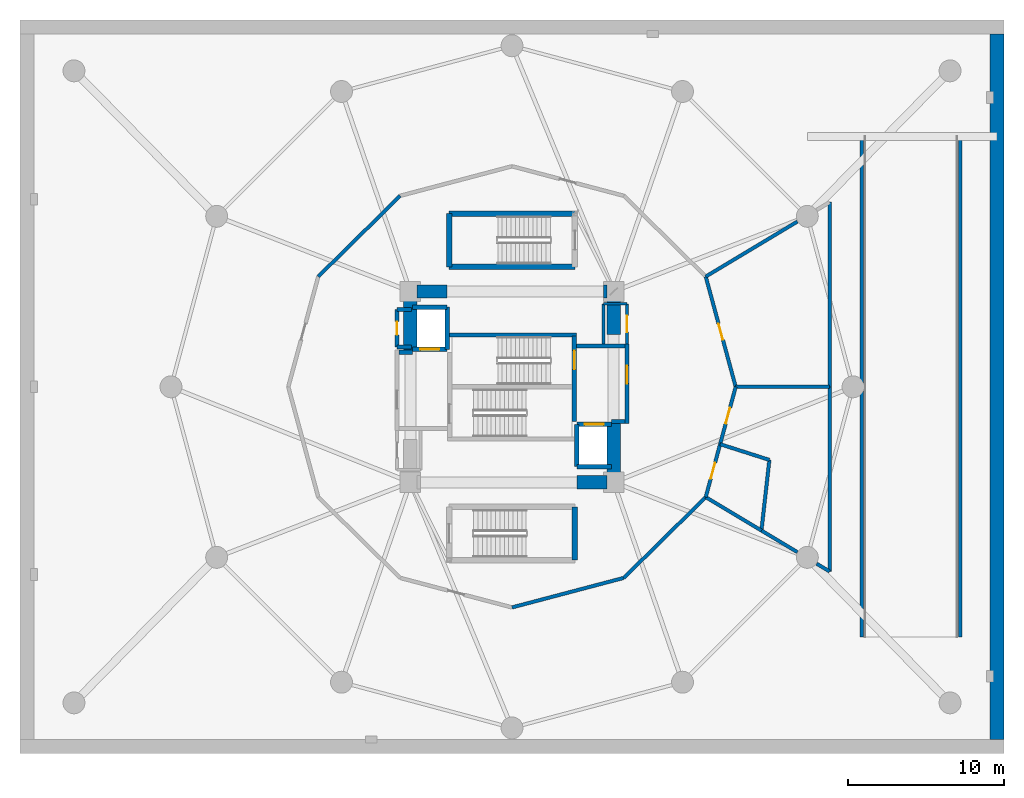
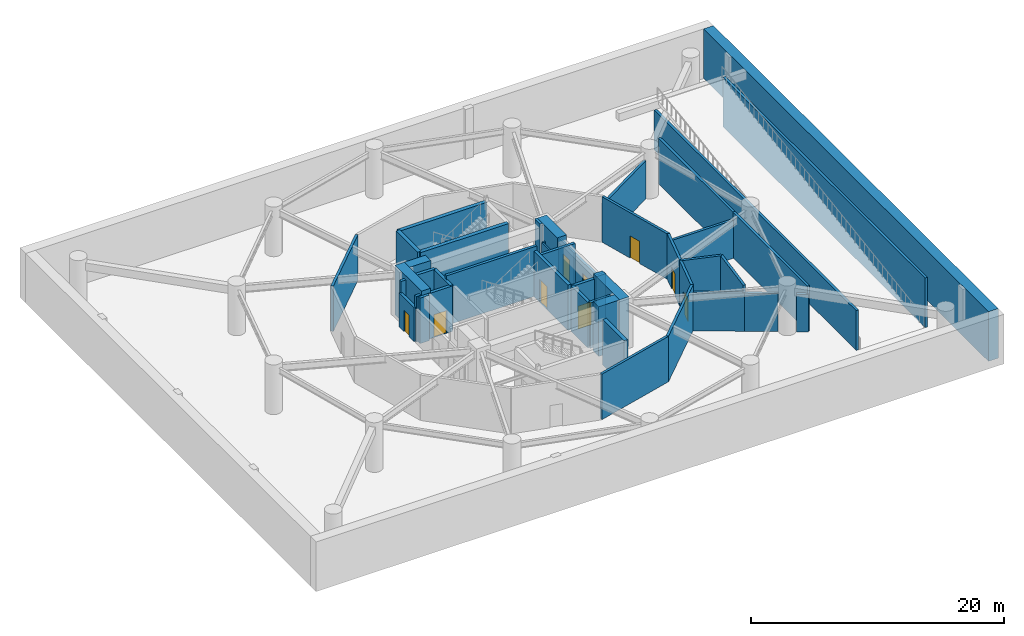
# One storey, part 7 of 10: 46 walls, 9 doors, 9 openings.
"""IFC4 building model written with IfcOpenShell, lengths in metres."""

from ifc_helpers import new_model, si_unit, direction, frame, frame_2d, origin, place, context, subcontext, project, spatial, rectangle, extrude, material, layer, layer_set, type_object, element, fill, save


model = new_model("IFC4")

# Units and contexts
model_context = context("Model", 3, precision=1e-05, world=origin(), true_north=direction((0.0, 1.0)))
body_context = subcontext(model_context, "Body", "Model", "MODEL_VIEW")
ifc_project = project(units=[si_unit("LENGTHUNIT", "METRE"), si_unit("AREAUNIT", "SQUARE_METRE"), si_unit("VOLUMEUNIT", "CUBIC_METRE"), si_unit("PLANEANGLEUNIT", "RADIAN"), si_unit("MASSUNIT", "GRAM", prefix="KILO")], contexts=[model_context])

# Site, building, storey
site_placement = place(None, origin())
site = spatial("IfcSite", under=ifc_project, at=site_placement, CompositionType="ELEMENT")
building_placement = place(site_placement, origin())
building = spatial("IfcBuilding", under=site, at=building_placement, Name="Solvirekh Grand Hotel", CompositionType="ELEMENT")
storey_placement = place(building_placement, frame((0.0, 0.0, -4.800048828125)))
storey = spatial("IfcBuildingStorey", under=building, at=storey_placement, Name="B01", CompositionType="ELEMENT", Elevation=-4.800048828125)

# Walls
ifc_material_1 = material(Name="Concrete C50/60", Category="concrete")
ifc_layer_1 = layer(ifc_material_1, 0.35009765625)
ifc_layer_set_1 = layer_set([ifc_layer_1], Name="Concrete C50/60")
wall_type_1 = type_object("IfcWallType", Name="CoreDivWall_RC350", PredefinedType="SOLIDWALL", material=ifc_layer_set_1)
wall_1_placement = place(storey_placement, frame((-4.1298828125, 3.324951171875, 0.0), z_axis=(0.0, 0.0, 1.0), x_axis=(1.0, 0.0, 0.0)))
element("IfcWall", 1, at=wall_1_placement, inside=storey, type_object=wall_type_1, Name="B01 core stair box wall ST-N", PredefinedType="SOLIDWALL", context=body_context, shape_type="SweptSolid", body=[
    extrude(rectangle(XDim=8.259765625, YDim=0.25, at=frame_2d((4.1298828125, 0.0))), origin(), (0.0, 0.0, 1.0), 4.800048828125),
])
wall_2_placement = place(storey_placement, frame((4.02490234375, -11.074951171875, 0.0), z_axis=(0.0, 0.0, 1.0), x_axis=(0.0, 1.0, 0.0)))
element("IfcWall", 2, at=wall_2_placement, inside=storey, type_object=wall_type_1, Name="B01 podium stair ST-3 E enclosure wall", PredefinedType="SOLIDWALL", context=body_context, shape_type="SweptSolid", body=[
    extrude(rectangle(XDim=3.39990234375, YDim=0.35009765625, at=frame_2d((1.699951171875, 0.0))), origin(), (0.0, 0.0, 1.0), 4.39501953125),
])
wall_3_placement = place(storey_placement, frame((4.02490234375, 11.074951171875, 0.0), z_axis=(0.0, 0.0, 1.0), x_axis=(-1.0, 0.0, 0.0)))
element("IfcWall", 3, at=wall_3_placement, inside=storey, type_object=wall_type_1, Name="B01 feature stair ST-4 N enclosure wall", PredefinedType="SOLIDWALL", context=body_context, shape_type="SweptSolid", body=[
    extrude(rectangle(XDim=8.0498046875, YDim=0.35009765625, at=frame_2d((4.02490234375, 0.0))), origin(), (0.0, 0.0, 1.0), 4.39501953125),
])
wall_4_placement = place(storey_placement, frame((-4.02490234375, 11.074951171875, 0.0), z_axis=(0.0, 0.0, 1.0), x_axis=(0.0, -1.0, 0.0)))
element("IfcWall", 4, at=wall_4_placement, inside=storey, type_object=wall_type_1, Name="B01 feature stair ST-4 W enclosure wall", PredefinedType="SOLIDWALL", context=body_context, shape_type="SweptSolid", body=[
    extrude(rectangle(XDim=3.39990234375, YDim=0.35009765625, at=frame_2d((1.699951171875, 0.0))), origin(), (0.0, 0.0, 1.0), 4.39501953125),
])
wall_5_placement = place(storey_placement, frame((-4.02490234375, 7.675048828125, 0.0), z_axis=(0.0, 0.0, 1.0), x_axis=(1.0, 0.0, 0.0)))
element("IfcWall", 5, at=wall_5_placement, inside=storey, type_object=wall_type_1, Name="B01 feature stair ST-4 S enclosure wall", PredefinedType="SOLIDWALL", context=body_context, shape_type="SweptSolid", body=[
    extrude(rectangle(XDim=8.0498046875, YDim=0.35009765625, at=frame_2d((4.02490234375, 0.0))), origin(), (0.0, 0.0, 1.0), 4.39501953125),
])

# Wall, opening, door
ifc_material_2 = material(Name="Concrete C40/50", Category="concrete")
ifc_layer_2 = layer(ifc_material_2, 0.280029296875)
ifc_layer_set_2 = layer_set([ifc_layer_2], Name="Concrete C40/50")
wall_type_2 = type_object("IfcWallType", Name="CoreShaftWall_RC280", PredefinedType="SOLIDWALL", material=ifc_layer_set_2)
wall_6_placement = place(storey_placement, frame((-6.35009765625, 2.39990234375, 0.0), z_axis=(0.0, 0.0, 1.0), x_axis=(1.0, 0.0, 0.0)))
wall_6 = element("IfcWall", 6, at=wall_6_placement, inside=storey, type_object=wall_type_2, Name="B01 FL-1 hoistway S wall", PredefinedType="SOLIDWALL", context=body_context, shape_type="SweptSolid", body=[
    extrude(rectangle(XDim=2.2001953125, YDim=0.280029296875, at=frame_2d((1.10009765625, 0.0))), origin(), (0.0, 0.0, 1.0), 4.39501953125),
])
opening_1_placement = place(wall_6_placement, frame((0.5, 0.0, 0.0)))
opening_1 = element("IfcOpeningElement", 7, at=opening_1_placement, cuts=wall_6, Name="Opening LD02", PredefinedType="OPENING", context=body_context, shape_type="SweptSolid", body=[
    extrude(rectangle(XDim=1.199951171875, YDim=2.199951171875, at=frame_2d((0.60009765625, 1.10009765625))), frame((0.0, 0.14990234375, 0.0), z_axis=(0.0, -1.0, 0.0), x_axis=(1.0, 0.0, 0.0)), (0.0, 0.0, 1.0), 0.300048828125),
])
ifc_material_3 = material(Name="Fire-Rated Steel Door Assembly", Category="steel")
door_type_1 = type_object("IfcDoorType", Name="Door_LiftFF_1200X2200", OperationType="SLIDING_TO_LEFT", PredefinedType="DOOR", material=ifc_material_3)
door_1_placement = place(opening_1_placement, origin())
door_1 = element("IfcDoor", 8, at=door_1_placement, inside=storey, type_object=door_type_1, Name="B01 FL-1 sliding lift landing door", OperationType="SLIDING_TO_LEFT", OverallHeight=2.199951171875, OverallWidth=1.199951171875, PredefinedType="DOOR", context=body_context, shape_type="SweptSolid", body=[
    extrude(rectangle(XDim=1.199951171875, YDim=2.199951171875, at=frame_2d((0.60009765625, 1.10009765625))), frame((0.0, 0.02490234375, 0.0), z_axis=(0.0, -1.0, 0.0), x_axis=(1.0, 0.0, 0.0)), (0.0, 0.0, 1.0), 0.050048828125),
])
fill(opening_1, door_1)

# Walls
wall_7_placement = place(storey_placement, frame((-4.14990234375, 5.10009765625, 0.0), z_axis=(0.0, 0.0, 1.0), x_axis=(-1.0, 0.0, 0.0)))
element("IfcWall", 9, at=wall_7_placement, inside=storey, type_object=wall_type_2, Name="B01 FL-1 hoistway N wall", PredefinedType="SOLIDWALL", context=body_context, shape_type="SweptSolid", body=[
    extrude(rectangle(XDim=2.2001953125, YDim=0.280029296875, at=frame_2d((1.10009765625, 0.0))), origin(), (0.0, 0.0, 1.0), 4.39501953125),
])
wall_8_placement = place(storey_placement, frame((-4.14990234375, 2.39990234375, 0.0), z_axis=(0.0, 0.0, 1.0), x_axis=(0.0, 1.0, 0.0)))
element("IfcWall", 10, at=wall_8_placement, inside=storey, type_object=wall_type_2, Name="B01 FL-1 hoistway E wall", PredefinedType="SOLIDWALL", context=body_context, shape_type="SweptSolid", body=[
    extrude(rectangle(XDim=2.7001953125, YDim=0.280029296875, at=frame_2d((1.35009765625, 0.0))), origin(), (0.0, 0.0, 1.0), 4.39501953125),
])
wall_9_placement = place(storey_placement, frame((4.14990234375, -5.10009765625, 0.0), z_axis=(0.0, 0.0, 1.0), x_axis=(1.0, 0.0, 0.0)))
element("IfcWall", 11, at=wall_9_placement, inside=storey, type_object=wall_type_2, Name="B01 FL-2 hoistway S wall", PredefinedType="SOLIDWALL", context=body_context, shape_type="SweptSolid", body=[
    extrude(rectangle(XDim=2.2001953125, YDim=0.280029296875, at=frame_2d((1.10009765625, 0.0))), origin(), (0.0, 0.0, 1.0), 4.39501953125),
])

# Wall, opening, door
wall_10_placement = place(storey_placement, frame((6.35009765625, -2.39990234375, 0.0), z_axis=(0.0, 0.0, 1.0), x_axis=(-1.0, 0.0, 0.0)))
wall_10 = element("IfcWall", 12, at=wall_10_placement, inside=storey, type_object=wall_type_2, Name="B01 FL-2 hoistway N wall", PredefinedType="SOLIDWALL", context=body_context, shape_type="SweptSolid", body=[
    extrude(rectangle(XDim=2.2001953125, YDim=0.280029296875, at=frame_2d((1.10009765625, 0.0))), origin(), (0.0, 0.0, 1.0), 4.39501953125),
])
opening_2_placement = place(wall_10_placement, frame((0.5, 0.0, 0.0)))
opening_2 = element("IfcOpeningElement", 13, at=opening_2_placement, cuts=wall_10, Name="Opening LD02", PredefinedType="OPENING", context=body_context, shape_type="SweptSolid", body=[
    extrude(rectangle(XDim=1.199951171875, YDim=2.199951171875, at=frame_2d((0.60009765625, 1.10009765625))), frame((0.0, 0.14990234375, 0.0), z_axis=(0.0, -1.0, 0.0), x_axis=(1.0, 0.0, 0.0)), (0.0, 0.0, 1.0), 0.300048828125),
])
door_2_placement = place(opening_2_placement, origin())
door_2 = element("IfcDoor", 14, at=door_2_placement, inside=storey, type_object=door_type_1, Name="B01 FL-2 sliding lift landing door", OperationType="SLIDING_TO_LEFT", OverallHeight=2.199951171875, OverallWidth=1.199951171875, PredefinedType="DOOR", context=body_context, shape_type="SweptSolid", body=[
    extrude(rectangle(XDim=1.199951171875, YDim=2.199951171875, at=frame_2d((0.60009765625, 1.10009765625))), frame((0.0, 0.02490234375, 0.0), z_axis=(0.0, -1.0, 0.0), x_axis=(1.0, 0.0, 0.0)), (0.0, 0.0, 1.0), 0.050048828125),
])
fill(opening_2, door_2)

# Wall
wall_11_placement = place(storey_placement, frame((4.14990234375, -2.39990234375, 0.0), z_axis=(0.0, 0.0, 1.0), x_axis=(0.0, -1.0, 0.0)))
element("IfcWall", 15, at=wall_11_placement, inside=storey, type_object=wall_type_2, Name="B01 FL-2 hoistway W wall", PredefinedType="SOLIDWALL", context=body_context, shape_type="SweptSolid", body=[
    extrude(rectangle(XDim=2.7001953125, YDim=0.280029296875, at=frame_2d((1.35009765625, 0.0))), origin(), (0.0, 0.0, 1.0), 4.39501953125),
])

# Wall, opening, door
wall_12_placement = place(storey_placement, frame((3.989990234375, -2.2099609375, 0.0), z_axis=(0.0, 0.0, 1.0), x_axis=(0.0, 1.0, 0.0)))
wall_12 = element("IfcWall", 16, at=wall_12_placement, inside=storey, type_object=wall_type_2, Name="B01 east stair landing enclosure wall", PredefinedType="SOLIDWALL", context=body_context, shape_type="SweptSolid", body=[
    extrude(rectangle(XDim=5.4599609375, YDim=0.280029296875, at=frame_2d((2.72998046875, 0.0))), origin(), (0.0, 0.0, 1.0), 4.39501953125),
])
opening_3_placement = place(wall_12_placement, frame((3.322998046875, 0.0, 0.0)))
opening_3 = element("IfcOpeningElement", 17, at=opening_3_placement, cuts=wall_12, Name="Opening D05", PredefinedType="OPENING", context=body_context, shape_type="SweptSolid", body=[
    extrude(rectangle(XDim=1.199951171875, YDim=2.199951171875, at=frame_2d((0.60009765625, 1.10009765625))), frame((0.0, 0.14990234375, 0.0), z_axis=(0.0, -1.0, 0.0), x_axis=(1.0, 0.0, 0.0)), (0.0, 0.0, 1.0), 0.300048828125),
])
door_type_2 = type_object("IfcDoorType", Name="Door_StairCore_1200X2200", OperationType="NOTDEFINED", PredefinedType="DOOR", material=ifc_material_3)
door_3_placement = place(opening_3_placement, origin())
door_3 = element("IfcDoor", 18, at=door_3_placement, inside=storey, type_object=door_type_2, Name="B01 exit stair ST-2 fire door", OperationType="SINGLE_SWING_LEFT", OverallHeight=2.199951171875, OverallWidth=1.199951171875, PredefinedType="DOOR", context=body_context, shape_type="SweptSolid", body=[
    extrude(rectangle(XDim=1.199951171875, YDim=2.199951171875, at=frame_2d((0.60009765625, 1.10009765625))), frame((0.0, 0.02490234375, 0.0), z_axis=(0.0, -1.0, 0.0), x_axis=(1.0, 0.0, 0.0)), (0.0, 0.0, 1.0), 0.050048828125),
])
fill(opening_3, door_3)

# Walls
ifc_material_4 = material(Name="Concrete C60/75", Category="concrete")
ifc_layer_3 = layer(ifc_material_4, 0.85009765625)
ifc_layer_set_3 = layer_set([ifc_layer_3], Name="Concrete C60/75")
wall_type_3 = type_object("IfcWallType", Name="CoreWall_RC850", PredefinedType="SHEAR", material=ifc_layer_set_3)
for number, where, z_axis, x_axis, name in (
    (19, (4.14990234375, -6.10009765625, 0.0), (0.0, 0.0, 1.0), (1.0, 0.0, 0.0), "B01 core corner shear wall SE-S"),
    (20, (-6.074951171875, 6.10009765625, 0.0), (0.0, 0.0, 1.0), (1.0, 0.0, 0.0), "B01 core corner shear wall NW-N"),
):
    element("IfcWall", number, at=place(storey_placement, frame(where, z_axis=z_axis, x_axis=x_axis)), inside=storey, type_object=wall_type_3, Name=name, PredefinedType="SHEAR", context=body_context, shape_type="SweptSolid", body=[
        extrude(rectangle(XDim=1.925048828125, YDim=0.85009765625, at=frame_2d((0.96240234375, 0.0))), origin(), (0.0, 0.0, 1.0), 4.800048828125),
    ])
wall_13_placement = place(storey_placement, frame((5.85009765625, 6.10009765625, 0.0), z_axis=(0.0, 0.0, 1.0), x_axis=(1.0, 0.0, 0.0)))
element("IfcWall", 21, at=wall_13_placement, inside=storey, type_object=wall_type_3, Name="B01 core corner shear wall NE-N", PredefinedType="SHEAR", context=body_context, shape_type="SweptSolid", body=[
    extrude(rectangle(XDim=0.224853515625, YDim=0.85009765625, at=frame_2d((0.1123046875, 0.0))), origin(), (0.0, 0.0, 1.0), 4.800048828125),
])
for number, where, z_axis, x_axis, name in (
    (22, (-6.5, 2.35009765625, 0.0), (0.0, 0.0, 1.0), (0.0, 1.0, 0.0), "B01 core corner shear wall WN-W"),
    (23, (6.5, -6.52490234375, 0.0), (0.0, 0.0, 1.0), (0.0, 1.0, 0.0), "B01 core corner shear wall ES-E"),
):
    element("IfcWall", number, at=place(storey_placement, frame(where, z_axis=z_axis, x_axis=x_axis)), inside=storey, type_object=wall_type_3, Name=name, PredefinedType="SHEAR", context=body_context, shape_type="SweptSolid", body=[
        extrude(rectangle(XDim=4.1748046875, YDim=0.85009765625, at=frame_2d((2.08740234375, 0.0))), origin(), (0.0, 0.0, 1.0), 4.800048828125),
    ])
wall_14_placement = place(storey_placement, frame((6.5, 3.35009765625, 0.0), z_axis=(0.0, 0.0, 1.0), x_axis=(0.0, 1.0, 0.0)))
element("IfcWall", 24, at=wall_14_placement, inside=storey, type_object=wall_type_3, Name="B01 core corner shear wall EN-E", PredefinedType="SHEAR", context=body_context, shape_type="SweptSolid", body=[
    extrude(rectangle(XDim=3.1748046875, YDim=0.85009765625, at=frame_2d((1.58740234375, 0.0))), origin(), (0.0, 0.0, 1.0), 4.800048828125),
])

# Wall, opening, door
ifc_material_5 = material(Name="Acoustic Gypsum Partition Assembly")
ifc_layer_4 = layer(ifc_material_5, 0.1650390625)
ifc_layer_set_4 = layer_set([ifc_layer_4], Name="Acoustic Gypsum Partition Assembly")
wall_type_4 = type_object("IfcWallType", Name="Part_BOH_165", PredefinedType="PARTITIONING", material=ifc_layer_set_4)
wall_15_placement = place(storey_placement, frame((7.35009765625, 2.75, 0.0), z_axis=(0.0, 0.0, 1.0), x_axis=(0.0, 1.0, 0.0)))
wall_15 = element("IfcWall", 25, at=wall_15_placement, inside=storey, type_object=wall_type_4, Name="B01 B01 Telecom Distribution Room wall 2", PredefinedType="PARTITIONING", context=body_context, shape_type="SweptSolid", body=[
    extrude(rectangle(XDim=2.550048828125, YDim=0.1650390625, at=frame_2d((1.27490234375, 0.0))), origin(), (0.0, 0.0, 1.0), 3.280029296875),
])
opening_4_placement = place(wall_15_placement, frame((0.75, 0.0, 0.0)))
opening_4 = element("IfcOpeningElement", 26, at=opening_4_placement, cuts=wall_15, Name="Opening D12", PredefinedType="OPENING", context=body_context, shape_type="SweptSolid", body=[
    extrude(rectangle(XDim=1.050048828125, YDim=2.14990234375, at=frame_2d((0.52490234375, 1.074951171875))), frame((0.0, 0.092529296875, 0.0), z_axis=(0.0, -1.0, 0.0), x_axis=(1.0, 0.0, 0.0)), (0.0, 0.0, 1.0), 0.18505859375),
])
door_type_3 = type_object("IfcDoorType", Name="Door_PlantBOH_1050X2150", OperationType="NOTDEFINED", PredefinedType="DOOR", material=ifc_material_3)
door_4_placement = place(opening_4_placement, origin())
door_4 = element("IfcDoor", 27, at=door_4_placement, inside=storey, type_object=door_type_3, Name="B01 B01 Telecom Distribution Room door", OperationType="SINGLE_SWING_RIGHT", OverallHeight=2.14990234375, OverallWidth=1.050048828125, PredefinedType="DOOR", context=body_context, shape_type="SweptSolid", body=[
    extrude(rectangle(XDim=1.050048828125, YDim=2.14990234375, at=frame_2d((0.52490234375, 1.074951171875))), frame((0.0, 0.02490234375, 0.0), z_axis=(0.0, -1.0, 0.0), x_axis=(1.0, 0.0, 0.0)), (0.0, 0.0, 1.0), 0.050048828125),
])
fill(opening_4, door_4)

# Walls
wall_16_placement = place(storey_placement, frame((7.35009765625, 5.300048828125, 0.0), z_axis=(0.0, 0.0, 1.0), x_axis=(-1.0, 0.0, 0.0)))
element("IfcWall", 28, at=wall_16_placement, inside=storey, type_object=wall_type_4, Name="B01 B01 Telecom Distribution Room wall 3", PredefinedType="PARTITIONING", context=body_context, shape_type="SweptSolid", body=[
    extrude(rectangle(XDim=1.5, YDim=0.1650390625, at=frame_2d((0.75, 0.0))), origin(), (0.0, 0.0, 1.0), 3.280029296875),
])
wall_17_placement = place(storey_placement, frame((5.85009765625, 5.300048828125, 0.0), z_axis=(0.0, 0.0, 1.0), x_axis=(0.0, -1.0, 0.0)))
element("IfcWall", 29, at=wall_17_placement, inside=storey, type_object=wall_type_4, Name="B01 B01 Telecom Distribution Room wall 4", PredefinedType="PARTITIONING", context=body_context, shape_type="SweptSolid", body=[
    extrude(rectangle(XDim=2.550048828125, YDim=0.1650390625, at=frame_2d((1.27490234375, 0.0))), origin(), (0.0, 0.0, 1.0), 3.280029296875),
])

# Wall, opening, door
ifc_layer_5 = layer(ifc_material_5, 0.239990234375)
ifc_layer_set_5 = layer_set([ifc_layer_5], Name="Acoustic Gypsum Partition Assembly")
wall_type_5 = type_object("IfcWallType", Name="Part_Corridor_240", PredefinedType="PARTITIONING", material=ifc_layer_set_5)
wall_18_placement = place(storey_placement, frame((7.35009765625, -2.340087890625, 0.0), z_axis=(0.0, 0.0, 1.0), x_axis=(0.0, 1.0, 0.0)))
wall_18 = element("IfcWall", 30, at=wall_18_placement, inside=storey, type_object=wall_type_5, Name="B01 east firefighting lobby smoke screen wall", PredefinedType="PARTITIONING", context=body_context, shape_type="SweptSolid", body=[
    extrude(rectangle(XDim=5.070068359375, YDim=0.239990234375, at=frame_2d((2.53515625, 0.0))), origin(), (0.0, 0.0, 1.0), 3.280029296875),
])
opening_5_placement = place(wall_18_placement, frame((2.548095703125, 0.0, 0.0)))
opening_5 = element("IfcOpeningElement", 31, at=opening_5_placement, cuts=wall_18, Name="Opening D06", PredefinedType="OPENING", context=body_context, shape_type="SweptSolid", body=[
    extrude(rectangle(XDim=1.14990234375, YDim=2.199951171875, at=frame_2d((0.574951171875, 1.10009765625))), frame((0.0, 0.1298828125, 0.0), z_axis=(0.0, -1.0, 0.0), x_axis=(1.0, 0.0, 0.0)), (0.0, 0.0, 1.0), 0.260009765625),
])
door_type_4 = type_object("IfcDoorType", Name="Door_FFLobby_1150X2200", OperationType="NOTDEFINED", PredefinedType="DOOR", material=ifc_material_3)
door_5_placement = place(opening_5_placement, origin())
door_5 = element("IfcDoor", 32, at=door_5_placement, inside=storey, type_object=door_type_4, Name="B01 east firefighting lobby smoke door", OperationType="SINGLE_SWING_LEFT", OverallHeight=2.199951171875, OverallWidth=1.14990234375, PredefinedType="DOOR", context=body_context, shape_type="SweptSolid", body=[
    extrude(rectangle(XDim=1.14990234375, YDim=2.199951171875, at=frame_2d((0.574951171875, 1.10009765625))), frame((0.0, 0.02490234375, 0.0), z_axis=(0.0, -1.0, 0.0), x_axis=(1.0, 0.0, 0.0)), (0.0, 0.0, 1.0), 0.050048828125),
])
fill(opening_5, door_5)

# Walls
ifc_layer_6 = layer(ifc_material_5, 0.260009765625)
ifc_layer_set_6 = layer_set([ifc_layer_6], Name="Acoustic Gypsum Partition Assembly")
wall_type_6 = type_object("IfcWallType", Name="Part_LobbyFF_260", PredefinedType="PARTITIONING", material=ifc_layer_set_6)
for number, where, z_axis, x_axis, name in (
    (33, (-7.22509765625, 2.2099609375, 0.0), (0.0, 0.0, 1.0), (1.0, 0.0, 0.0), "B01 west firefighting lobby NW cheek"),
    (34, (6.35009765625, -2.2099609375, 0.0), (0.0, 0.0, 1.0), (1.0, 0.0, 0.0), "B01 east firefighting lobby SE cheek"),
):
    element("IfcWall", number, at=place(storey_placement, frame(where, z_axis=z_axis, x_axis=x_axis)), inside=storey, type_object=wall_type_6, Name=name, PredefinedType="PARTITIONING", context=body_context, shape_type="SweptSolid", body=[
        extrude(rectangle(XDim=0.875, YDim=0.260009765625, at=frame_2d((0.4375, 0.0))), origin(), (0.0, 0.0, 1.0), 4.39501953125),
    ])
wall_19_placement = place(storey_placement, frame((4.1298828125, 2.60009765625, 0.0), z_axis=(0.0, 0.0, 1.0), x_axis=(1.0, 0.0, 0.0)))
element("IfcWall", 35, at=wall_19_placement, inside=storey, type_object=wall_type_6, Name="B01 east firefighting lobby north partition", PredefinedType="PARTITIONING", context=body_context, shape_type="SweptSolid", body=[
    extrude(rectangle(XDim=3.09521484375, YDim=0.260009765625, at=frame_2d((1.547607421875, 0.0))), origin(), (0.0, 0.0, 1.0), 4.39501953125),
])
for number, where, z_axis, x_axis, name in (
    (36, (-7.35009765625, 4.949951171875, 0.0), (0.0, 0.0, 1.0), (1.0, 0.0, 0.0), "B01 NW telecom metering cupboard north wall"),
    (37, (-7.35009765625, 2.550048828125, 0.0), (0.0, 0.0, 1.0), (1.0, 0.0, 0.0), "B01 NW telecom metering cupboard south wall"),
):
    element("IfcWall", number, at=place(storey_placement, frame(where, z_axis=z_axis, x_axis=x_axis)), inside=storey, type_object=wall_type_6, Name=name, PredefinedType="PARTITIONING", context=body_context, shape_type="SweptSolid", body=[
        extrude(rectangle(XDim=0.93017578125, YDim=0.260009765625, at=frame_2d((0.465087890625, 0.0))), origin(), (0.0, 0.0, 1.0), 4.39501953125),
    ])

# Wall, opening, door
wall_20_placement = place(storey_placement, frame((-7.35009765625, 2.550048828125, 0.0), z_axis=(0.0, 0.0, 1.0), x_axis=(0.0, 1.0, 0.0)))
wall_20 = element("IfcWall", 38, at=wall_20_placement, inside=storey, type_object=wall_type_6, Name="B01 NW telecom metering cupboard access wall", PredefinedType="PARTITIONING", context=body_context, shape_type="SweptSolid", body=[
    extrude(rectangle(XDim=2.39990234375, YDim=0.260009765625, at=frame_2d((1.199951171875, 0.0))), origin(), (0.0, 0.0, 1.0), 3.280029296875),
])
opening_6_placement = place(wall_20_placement, frame((0.77490234375, 0.0, 0.0)))
opening_6 = element("IfcOpeningElement", 39, at=opening_6_placement, cuts=wall_20, Name="Opening D13", PredefinedType="OPENING", context=body_context, shape_type="SweptSolid", body=[
    extrude(rectangle(XDim=0.85009765625, YDim=2.050048828125, at=frame_2d((0.425048828125, 1.02490234375))), frame((0.0, 0.14013671875, 0.0), z_axis=(0.0, -1.0, 0.0), x_axis=(1.0, 0.0, 0.0)), (0.0, 0.0, 1.0), 0.280029296875),
])
door_type_5 = type_object("IfcDoorType", Name="Door_RiserShaft_850X2050", OperationType="NOTDEFINED", PredefinedType="DOOR", material=ifc_material_3)
door_6_placement = place(opening_6_placement, origin())
door_6 = element("IfcDoor", 40, at=door_6_placement, inside=storey, type_object=door_type_5, Name="B01 telecom metering cupboard access door", OperationType="SINGLE_SWING_RIGHT", OverallHeight=2.050048828125, OverallWidth=0.85009765625, PredefinedType="DOOR", context=body_context, shape_type="SweptSolid", body=[
    extrude(rectangle(XDim=0.85009765625, YDim=2.050048828125, at=frame_2d((0.425048828125, 1.02490234375))), frame((0.0, 0.02490234375, 0.0), z_axis=(0.0, -1.0, 0.0), x_axis=(1.0, 0.0, 0.0)), (0.0, 0.0, 1.0), 0.050048828125),
])
fill(opening_6, door_6)

# Walls
ifc_material_6 = material(Name="Precast concrete C45/55", Category="concrete")
ifc_layer_7 = layer(ifc_material_6, 0.22509765625)
ifc_layer_set_7 = layer_set([ifc_layer_7], Name="Precast concrete C45/55")
wall_type_7 = type_object("IfcWallType", Name="Part_Plant_225", PredefinedType="PARTITIONING", material=ifc_layer_set_7)
wall_21_placement = place(storey_placement, frame((22.35009765625, -16.0, 0.0), z_axis=(0.0, 0.0, 1.0), x_axis=(0.0, 1.0, 0.0)))
element("IfcWall", 41, at=wall_21_placement, inside=storey, type_object=wall_type_7, Name="B01 vehicle ramp west fire wall", PredefinedType="PARTITIONING", context=body_context, shape_type="SweptSolid", body=[
    extrude(rectangle(XDim=32.0, YDim=0.22509765625, at=frame_2d((16.0, 0.0))), origin(), (0.0, 0.0, 1.0), 3.84716796875),
])
wall_22_placement = place(storey_placement, frame((28.64990234375, -16.0, 0.0), z_axis=(0.0, 0.0, 1.0), x_axis=(0.0, 1.0, 0.0)))
element("IfcWall", 42, at=wall_22_placement, inside=storey, type_object=wall_type_7, Name="B01 vehicle ramp east fire wall", PredefinedType="PARTITIONING", context=body_context, shape_type="SweptSolid", body=[
    extrude(rectangle(XDim=32.0, YDim=0.22509765625, at=frame_2d((16.0, 0.0))), origin(), (0.0, 0.0, 1.0), 4.800048828125),
])
wall_23_placement = place(storey_placement, frame((-7.14990234375, 12.2109375, 0.0), z_axis=(0.0, 0.0, 1.0), x_axis=(-0.712071304345, -0.702107155303, 0.0)))
element("IfcWall", 43, at=wall_23_placement, inside=storey, type_object=wall_type_7, Name="B01 B01 North Car Park & Accessible Bays corridor fire wall 3", PredefinedType="PARTITIONING", context=body_context, shape_type="SweptSolid", body=[
    extrude(rectangle(XDim=7.3505859375, YDim=0.22509765625, at=frame_2d((3.67529296875, 0.0))), origin(), (0.0, 0.0, 1.0), 4.39501953125),
])
wall_24_placement = place(storey_placement, frame((0.0, -14.10009765625, 0.0), z_axis=(0.0, 0.0, 1.0), x_axis=(0.966820901533, 0.255455170937, 0.0)))
element("IfcWall", 44, at=wall_24_placement, inside=storey, type_object=wall_type_7, Name="B01 B01 South Car Park & Charging Bays corridor fire wall 2", PredefinedType="PARTITIONING", context=body_context, shape_type="SweptSolid", body=[
    extrude(rectangle(XDim=7.395263671875, YDim=0.22509765625, at=frame_2d((3.69775390625, 0.0))), origin(), (0.0, 0.0, 1.0), 4.39501953125),
])
wall_25_placement = place(storey_placement, frame((7.14990234375, -12.2109375, 0.0), z_axis=(0.0, 0.0, 1.0), x_axis=(0.712071304345, 0.702107155303, 0.0)))
element("IfcWall", 45, at=wall_25_placement, inside=storey, type_object=wall_type_7, Name="B01 B01 South Car Park & Charging Bays corridor fire wall 3", PredefinedType="PARTITIONING", context=body_context, shape_type="SweptSolid", body=[
    extrude(rectangle(XDim=7.3505859375, YDim=0.22509765625, at=frame_2d((3.67529296875, 0.0))), origin(), (0.0, 0.0, 1.0), 4.39501953125),
])

# Wall, opening, door
wall_26_placement = place(storey_placement, frame((12.384033203125, -7.050048828125, 0.0), z_axis=(0.0, 0.0, 1.0), x_axis=(0.262322060278, 0.964980381506, 0.0)))
wall_26 = element("IfcWall", 46, at=wall_26_placement, inside=storey, type_object=wall_type_7, Name="B01 Hotel Linen Laundry Room entry wall", PredefinedType="PARTITIONING", context=body_context, shape_type="SweptSolid", body=[
    extrude(rectangle(XDim=3.5068359375, YDim=0.22509765625, at=frame_2d((1.75341796875, 0.0))), origin(), (0.0, 0.0, 1.0), 4.39501953125),
])
opening_7_placement = place(wall_26_placement, frame((1.22802734375, 0.0, 0.0)))
opening_7 = element("IfcOpeningElement", 47, at=opening_7_placement, cuts=wall_26, Name="Opening D12", PredefinedType="OPENING", context=body_context, shape_type="SweptSolid", body=[
    extrude(rectangle(XDim=1.050048828125, YDim=2.14990234375, at=frame_2d((0.52490234375, 1.074951171875))), frame((0.0, 0.12255859375, 0.0), z_axis=(0.0, -1.0, 0.0), x_axis=(1.0, 0.0, 0.0)), (0.0, 0.0, 1.0), 0.2451171875),
])
door_7_placement = place(opening_7_placement, origin())
door_7 = element("IfcDoor", 48, at=door_7_placement, inside=storey, type_object=door_type_3, Name="B01 Hotel Linen Laundry Room door", OperationType="SINGLE_SWING_RIGHT", OverallHeight=2.14990234375, OverallWidth=1.050048828125, PredefinedType="DOOR", context=body_context, shape_type="SweptSolid", body=[
    extrude(rectangle(XDim=1.050048828125, YDim=2.14990234375, at=frame_2d((0.52490234375, 1.074951171875))), frame((0.0, 0.02490234375, 0.0), z_axis=(0.0, -1.0, 0.0), x_axis=(1.0, 0.0, 0.0)), (0.0, 0.0, 1.0), 0.050048828125),
])
fill(opening_7, door_7)

# Walls
wall_27_placement = place(storey_placement, frame((13.303955078125, -3.666015625, 0.0), z_axis=(0.0, 0.0, 1.0), x_axis=(0.952640086108, -0.304100092634, 0.0)))
element("IfcWall", 49, at=wall_27_placement, inside=storey, type_object=wall_type_7, Name="B01 Hotel Linen Laundry Room enclosure wall 1", PredefinedType="PARTITIONING", context=body_context, shape_type="SweptSolid", body=[
    extrude(rectangle(XDim=3.304443359375, YDim=0.22509765625, at=frame_2d((1.65234375, 0.0))), origin(), (0.0, 0.0, 1.0), 4.39501953125),
])
wall_28_placement = place(storey_placement, frame((16.451904296875, -4.6708984375, 0.0), z_axis=(0.0, 0.0, 1.0), x_axis=(-0.111292193905, -0.993787727624, 0.0)))
element("IfcWall", 50, at=wall_28_placement, inside=storey, type_object=wall_type_7, Name="B01 Hotel Linen Laundry Room enclosure wall 2", PredefinedType="PARTITIONING", context=body_context, shape_type="SweptSolid", body=[
    extrude(rectangle(XDim=4.54541015625, YDim=0.22509765625, at=frame_2d((2.272705078125, 0.0))), origin(), (0.0, 0.0, 1.0), 4.39501953125),
])
wall_29_placement = place(storey_placement, frame((15.946044921875, -9.18798828125, 0.0), z_axis=(0.0, 0.0, 1.0), x_axis=(-0.857415135643, 0.514625383333, 0.0)))
element("IfcWall", 51, at=wall_29_placement, inside=storey, type_object=wall_type_7, Name="B01 Hotel Linen Laundry Room enclosure wall 3", PredefinedType="PARTITIONING", context=body_context, shape_type="SweptSolid", body=[
    extrude(rectangle(XDim=4.154296875, YDim=0.22509765625, at=frame_2d((2.0771484375, 0.0))), origin(), (0.0, 0.0, 1.0), 3.68603515625),
])

# Wall, opening, door
wall_30_placement = place(storey_placement, frame((13.303955078125, -3.666015625, 0.0), z_axis=(0.0, 0.0, 1.0), x_axis=(0.262203727329, 0.965012541563, 0.0)))
wall_30 = element("IfcWall", 52, at=wall_30_placement, inside=storey, type_object=wall_type_7, Name="B01 Uniform Valet & Dry-Cleaning Workshop entry wall", PredefinedType="PARTITIONING", context=body_context, shape_type="SweptSolid", body=[
    extrude(rectangle(XDim=3.798828125, YDim=0.22509765625, at=frame_2d((1.8994140625, 0.0))), origin(), (0.0, 0.0, 1.0), 4.39501953125),
])
opening_8_placement = place(wall_30_placement, frame((1.3740234375, 0.0, 0.0)))
opening_8 = element("IfcOpeningElement", 53, at=opening_8_placement, cuts=wall_30, Name="Opening D12", PredefinedType="OPENING", context=body_context, shape_type="SweptSolid", body=[
    extrude(rectangle(XDim=1.050048828125, YDim=2.14990234375, at=frame_2d((0.52490234375, 1.074951171875))), frame((0.0, 0.12255859375, 0.0), z_axis=(0.0, -1.0, 0.0), x_axis=(1.0, 0.0, 0.0)), (0.0, 0.0, 1.0), 0.2451171875),
])
door_8_placement = place(opening_8_placement, origin())
door_8 = element("IfcDoor", 54, at=door_8_placement, inside=storey, type_object=door_type_3, Name="B01 Uniform Valet & Dry-Cleaning Workshop door", OperationType="SINGLE_SWING_LEFT", OverallHeight=2.14990234375, OverallWidth=1.050048828125, PredefinedType="DOOR", context=body_context, shape_type="SweptSolid", body=[
    extrude(rectangle(XDim=1.050048828125, YDim=2.14990234375, at=frame_2d((0.52490234375, 1.074951171875))), frame((0.0, 0.02490234375, 0.0), z_axis=(0.0, -1.0, 0.0), x_axis=(1.0, 0.0, 0.0)), (0.0, 0.0, 1.0), 0.050048828125),
])
fill(opening_8, door_8)

# Walls
wall_31_placement = place(storey_placement, frame((20.300048828125, -11.800048828125, 0.0), z_axis=(0.0, 0.0, 1.0), x_axis=(-0.857694193222, 0.514160160761, 0.0)))
element("IfcWall", 55, at=wall_31_placement, inside=storey, type_object=wall_type_7, Name="B01 Uniform Valet & Dry-Cleaning Workshop enclosure wall 1 (A)", PredefinedType="PARTITIONING", context=body_context, shape_type="SweptSolid", body=[
    extrude(rectangle(XDim=0.962890625, YDim=0.22509765625, at=frame_2d((0.4814453125, 0.0))), origin(), (0.0, 0.0, 1.0), 3.630126953125),
])
wall_32_placement = place(storey_placement, frame((18.241943359375, -10.56494140625, 0.0), z_axis=(0.0, 0.0, 1.0), x_axis=(-0.857589469087, 0.514334815573, 0.0)))
element("IfcWall", 56, at=wall_32_placement, inside=storey, type_object=wall_type_7, Name="B01 Uniform Valet & Dry-Cleaning Workshop enclosure wall 1 (B)", PredefinedType="PARTITIONING", context=body_context, shape_type="SweptSolid", body=[
    extrude(rectangle(XDim=2.67724609375, YDim=0.22509765625, at=frame_2d((1.338623046875, 0.0))), origin(), (0.0, 0.0, 1.0), 3.68603515625),
])
wall_33_placement = place(storey_placement, frame((20.300048828125, 0.0, 0.0), z_axis=(0.0, 0.0, 1.0), x_axis=(0.0, -1.0, 0.0)))
element("IfcWall", 57, at=wall_33_placement, inside=storey, type_object=wall_type_7, Name="B01 Uniform Valet & Dry-Cleaning Workshop enclosure wall 2", PredefinedType="PARTITIONING", context=body_context, shape_type="SweptSolid", body=[
    extrude(rectangle(XDim=11.800048828125, YDim=0.22509765625, at=frame_2d((5.89990234375, 0.0))), origin(), (0.0, 0.0, 1.0), 4.39501953125),
])
wall_34_placement = place(storey_placement, frame((14.300048828125, 0.0, 0.0), z_axis=(0.0, 0.0, 1.0), x_axis=(1.0, 0.0, 0.0)))
element("IfcWall", 58, at=wall_34_placement, inside=storey, type_object=wall_type_7, Name="B01 Uniform Valet & Dry-Cleaning Workshop enclosure wall 3", PredefinedType="PARTITIONING", context=body_context, shape_type="SweptSolid", body=[
    extrude(rectangle(XDim=6.0, YDim=0.22509765625, at=frame_2d((3.0, 0.0))), origin(), (0.0, 0.0, 1.0), 3.68603515625),
])

# Wall, opening, door
wall_35_placement = place(storey_placement, frame((14.300048828125, 0.0, 0.0), z_axis=(0.0, 0.0, 1.0), x_axis=(-0.262260528785, 0.964997106235, 0.0)))
wall_35 = element("IfcWall", 59, at=wall_35_placement, inside=storey, type_object=wall_type_7, Name="B01 Central Housekeeping & Receiving Store entry wall", PredefinedType="PARTITIONING", context=body_context, shape_type="SweptSolid", body=[
    extrude(rectangle(XDim=7.3056640625, YDim=0.22509765625, at=frame_2d((3.65283203125, 0.0))), origin(), (0.0, 0.0, 1.0), 4.39501953125),
])
opening_9_placement = place(wall_35_placement, frame((3.1279296875, 0.0, 0.0)))
opening_9 = element("IfcOpeningElement", 60, at=opening_9_placement, cuts=wall_35, Name="Opening D12", PredefinedType="OPENING", context=body_context, shape_type="SweptSolid", body=[
    extrude(rectangle(XDim=1.050048828125, YDim=2.14990234375, at=frame_2d((0.52490234375, 1.074951171875))), frame((0.0, 0.12255859375, 0.0), z_axis=(0.0, -1.0, 0.0), x_axis=(1.0, 0.0, 0.0)), (0.0, 0.0, 1.0), 0.2451171875),
])
door_9_placement = place(opening_9_placement, origin())
door_9 = element("IfcDoor", 61, at=door_9_placement, inside=storey, type_object=door_type_3, Name="B01 Central Housekeeping & Receiving Store door", OperationType="SINGLE_SWING_RIGHT", OverallHeight=2.14990234375, OverallWidth=1.050048828125, PredefinedType="DOOR", context=body_context, shape_type="SweptSolid", body=[
    extrude(rectangle(XDim=1.050048828125, YDim=2.14990234375, at=frame_2d((0.52490234375, 1.074951171875))), frame((0.0, 0.02490234375, 0.0), z_axis=(0.0, -1.0, 0.0), x_axis=(1.0, 0.0, 0.0)), (0.0, 0.0, 1.0), 0.050048828125),
])
fill(opening_9, door_9)

# Walls
wall_36_placement = place(storey_placement, frame((12.384033203125, 7.050048828125, 0.0), z_axis=(0.0, 0.0, 1.0), x_axis=(0.857483465664, 0.514511521846, 0.0)))
element("IfcWall", 62, at=wall_36_placement, inside=storey, type_object=wall_type_7, Name="B01 Central Housekeeping & Receiving Store enclosure wall 1 (A)", PredefinedType="PARTITIONING", context=body_context, shape_type="SweptSolid", body=[
    extrude(rectangle(XDim=6.83154296875, YDim=0.22509765625, at=frame_2d((3.415771484375, 0.0))), origin(), (0.0, 0.0, 1.0), 3.68603515625),
])
wall_37_placement = place(storey_placement, frame((20.300048828125, 11.800048828125, 0.0), z_axis=(0.0, 0.0, 1.0), x_axis=(0.0, -1.0, 0.0)))
element("IfcWall", 63, at=wall_37_placement, inside=storey, type_object=wall_type_7, Name="B01 Central Housekeeping & Receiving Store enclosure wall 2", PredefinedType="PARTITIONING", context=body_context, shape_type="SweptSolid", body=[
    extrude(rectangle(XDim=11.800048828125, YDim=0.22509765625, at=frame_2d((5.89990234375, 0.0))), origin(), (0.0, 0.0, 1.0), 4.39501953125),
])
ifc_layer_8 = layer(ifc_material_1, 0.89990234375)
ifc_layer_set_8 = layer_set([ifc_layer_8], Name="Concrete C50/60")
wall_type_8 = type_object("IfcWallType", Name="RetainingWall_RC900", PredefinedType="SHEAR", material=ifc_layer_set_8)
wall_38_placement = place(storey_placement, frame((31.0, -22.550048828125, 0.0), z_axis=(0.0, 0.0, 1.0), x_axis=(0.0, 1.0, 0.0)))
element("IfcWall", 64, at=wall_38_placement, inside=storey, type_object=wall_type_8, Name="B01 E perimeter retaining wall", PredefinedType="SHEAR", context=body_context, shape_type="SweptSolid", body=[
    extrude(rectangle(XDim=45.10009765625, YDim=0.89990234375, at=frame_2d((22.550048828125, 0.0))), origin(), (0.0, 0.0, 1.0), 4.800048828125),
])

save(model, "model.ifc")
